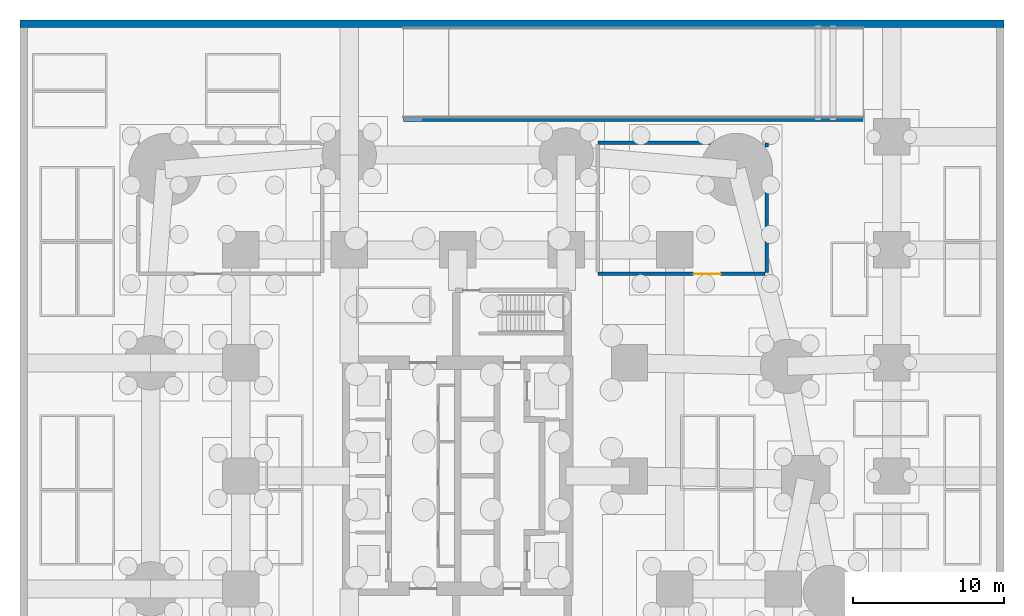
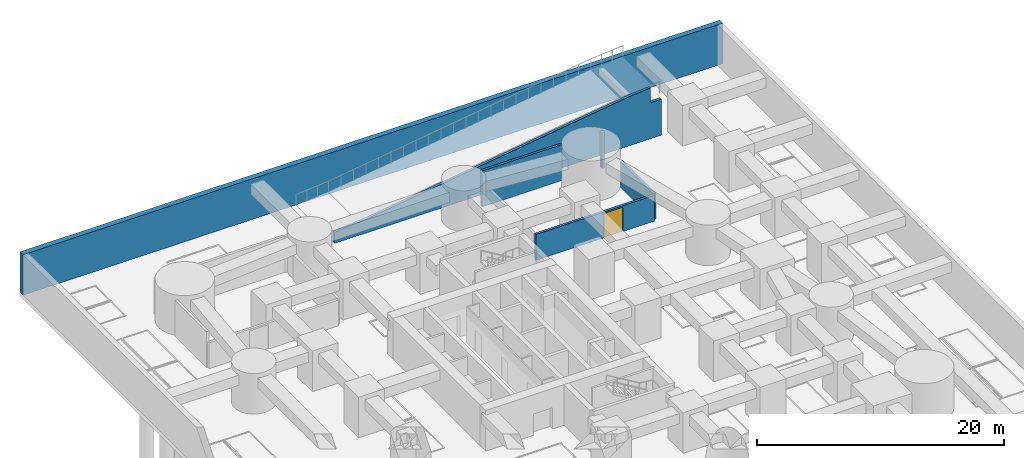
# One storey, part 5 of 10: 6 walls, 1 door, 1 opening.
"""IFC4 building model written with IfcOpenShell, lengths in metres."""

from ifc_helpers import new_model, si_unit, direction, frame, frame_2d, origin, place, context, subcontext, project, spatial, polyline, rectangle, outline, extrude, material, layer, layer_set, type_object, element, fill, save


model = new_model("IFC4")

# Units and contexts
model_context = context("Model", 3, precision=1e-05, world=origin(), true_north=direction((0.0, 1.0)))
body_context = subcontext(model_context, "Body", "Model", "MODEL_VIEW")
ifc_project = project(units=[si_unit("LENGTHUNIT", "METRE"), si_unit("AREAUNIT", "SQUARE_METRE"), si_unit("VOLUMEUNIT", "CUBIC_METRE"), si_unit("PLANEANGLEUNIT", "RADIAN"), si_unit("MASSUNIT", "GRAM", prefix="KILO")], contexts=[model_context])

# Site, building, storey
site_placement = place(None, origin())
site = spatial("IfcSite", under=ifc_project, at=site_placement, CompositionType="ELEMENT")
building_placement = place(site_placement, origin())
building = spatial("IfcBuilding", under=site, at=building_placement, Name="Sheger Commons Tower", CompositionType="ELEMENT")
storey_placement = place(building_placement, frame((0.0, 0.0, -8.0)))
storey = spatial("IfcBuildingStorey", under=building, at=storey_placement, Name="B2", CompositionType="ELEMENT", Elevation=-8.0)

# Wall, opening, door
ifc_material_1 = material(Name="Dense concrete block masonry, skimmed both sides", Category="masonry")
ifc_layer_1 = layer(ifc_material_1, 0.22509765625)
ifc_layer_set_1 = layer_set([ifc_layer_1], Name="FIRE WALL 225")
wall_type_1 = type_object("IfcWallType", Name="FIRE WALL 225", PredefinedType="SOLIDWALL", material=ifc_layer_set_1)
wall_1_placement = place(storey_placement, frame((30.89990234375, 35.89990234375, 0.0), z_axis=(0.0, 0.0, 1.0), x_axis=(1.0, 0.0, 0.0)))
wall_1 = element("IfcWall", 1, at=wall_1_placement, inside=storey, type_object=wall_type_1, Name="Plant room wall B2", PredefinedType="SOLIDWALL", context=body_context, shape_type="SweptSolid", body=[
    extrude(rectangle(XDim=11.088134765625, YDim=0.22509765625, at=frame_2d((5.5439453125, 0.0))), origin(), (0.0, 0.0, 1.0), 2.550048828125),
])
opening_placement = place(wall_1_placement, frame((6.35009765625, 0.0, 0.0)))
opening = element("IfcOpeningElement", 2, at=opening_placement, cuts=wall_1, Name="Opening D7", PredefinedType="OPENING", context=body_context, shape_type="SweptSolid", body=[
    extrude(rectangle(XDim=1.800048828125, YDim=2.39990234375, at=frame_2d((0.89990234375, 1.199951171875))), frame((0.0, 0.12255859375, 0.0), z_axis=(0.0, -1.0, 0.0), x_axis=(1.0, 0.0, 0.0)), (0.0, 0.0, 1.0), 0.2451171875),
])
ifc_material_2 = material(Name="Steel door set, fire rated", Category="steel")
door_type = type_object("IfcDoorType", Name="PLANT DOUBLE DOOR 1800x2400", OperationType="DOUBLE_DOOR_SINGLE_SWING", PredefinedType="DOOR", material=ifc_material_2)
door_placement = place(opening_placement, origin())
door = element("IfcDoor", 3, at=door_placement, inside=storey, type_object=door_type, Name="Water tank room door", OperationType="DOUBLE_DOOR_SINGLE_SWING", OverallHeight=2.39990234375, OverallWidth=1.800048828125, PredefinedType="DOOR", context=body_context, shape_type="SweptSolid", body=[
    extrude(rectangle(XDim=1.800048828125, YDim=2.39990234375, at=frame_2d((0.89990234375, 1.199951171875))), frame((0.0, 0.02490234375, 0.0), z_axis=(0.0, -1.0, 0.0), x_axis=(1.0, 0.0, 0.0)), (0.0, 0.0, 1.0), 0.050048828125),
])
fill(opening, door)

# Walls
wall_2_placement = place(storey_placement, frame((42.10009765625, 36.0, 0.0), z_axis=(0.0, 0.0, 1.0), x_axis=(0.0, 1.0, 0.0)))
element("IfcWall", 4, at=wall_2_placement, inside=storey, type_object=wall_type_1, Name="Plant room wall B2", PredefinedType="SOLIDWALL", context=body_context, shape_type="SweptSolid", body=[
    extrude(rectangle(XDim=5.344970703125, YDim=0.22509765625, at=frame_2d((2.67236328125, 0.0))), origin(), (0.0, 0.0, 1.0), 2.550048828125),
])
wall_3_placement = place(storey_placement, frame((42.10009765625, 44.31494140625, 0.0), z_axis=(0.0, 0.0, 1.0), x_axis=(0.0, 1.0, 0.0)))
element("IfcWall", 5, at=wall_3_placement, inside=storey, type_object=wall_type_1, Name="Plant room wall B2", PredefinedType="SOLIDWALL", context=body_context, shape_type="SweptSolid", body=[
    extrude(rectangle(XDim=0.28515625, YDim=0.22509765625, at=frame_2d((0.142578125, 0.0))), origin(), (0.0, 0.0, 1.0), 3.550048828125),
])
wall_4_placement = place(storey_placement, frame((30.89990234375, 44.60009765625, 0.0), z_axis=(0.0, 0.0, 1.0), x_axis=(1.0, 0.0, 0.0)))
element("IfcWall", 6, at=wall_4_placement, inside=storey, type_object=wall_type_1, Name="Plant room wall B2", PredefinedType="SOLIDWALL", context=body_context, shape_type="SweptSolid", body=[
    extrude(rectangle(XDim=7.466064453125, YDim=0.22509765625, at=frame_2d((3.73291015625, 0.0))), origin(), (0.0, 0.0, 1.0), 3.550048828125),
])
ifc_material_3 = material(Name="Concrete C50/60", Category="concrete")
ifc_layer_2 = layer(ifc_material_3, 0.25)
ifc_layer_set_2 = layer_set([ifc_layer_2], Name="RAMP WALL 250")
wall_type_2 = type_object("IfcWallType", Name="RAMP WALL 250", PredefinedType="SOLIDWALL", material=ifc_layer_set_2)
wall_5_placement = place(storey_placement, frame((18.0, 46.125, 0.0), z_axis=(0.0, 0.0, 1.0), x_axis=(1.0, 0.0, 0.0)))
element("IfcWall", 7, at=wall_5_placement, inside=storey, type_object=wall_type_2, Name="R2 ramp wall", PredefinedType="SOLIDWALL", context=body_context, shape_type="SweptSolid", body=[
    extrude(outline(polyline([(0.0, 0.0), (30.5, 0.0), (30.5, 3.550048828125), (30.489990234375, 3.550048828125), (30.0, 3.550048828125), (29.510009765625, 3.550048828125), (29.5, 5.01708984375), (29.489990234375, 5.01611328125), (29.0, 4.97509765625), (28.5, 4.93310546875), (28.0, 4.89208984375), (27.5, 4.85009765625), (27.0, 4.779052734375), (26.5, 4.70703125), (26.0, 4.635986328125), (25.5, 4.56396484375), (25.0, 4.492919921875), (24.5, 4.4208984375), (24.0, 4.35009765625), (23.5, 4.279052734375), (23.0, 4.20703125), (22.5, 4.135986328125), (22.0, 4.06396484375), (21.5, 3.992919921875), (21.0, 3.9208984375), (20.5, 3.85009765625), (20.0, 3.779052734375), (19.5, 3.70703125), (19.0, 3.635986328125), (18.5, 3.56396484375), (18.0, 3.492919921875), (17.5, 3.4208984375), (17.0, 3.35009765625), (16.5, 3.279052734375), (16.0, 3.20703125), (15.5, 3.135986328125), (15.0, 3.06396484375), (14.5, 2.992919921875), (14.0, 2.9208984375), (13.5, 2.85009765625), (13.0, 2.779052734375), (12.5, 2.70703125), (12.0, 2.635986328125), (11.5, 2.56396484375), (11.010009765625, 2.493896484375), (11.0, 2.492919921875), (10.989990234375, 2.490966796875), (10.5, 2.4208984375), (10.0, 2.35009765625), (9.5, 2.279052734375), (9.0, 2.20703125), (8.5, 2.135986328125), (8.0, 2.06396484375), (7.5, 1.992919921875), (7.0, 1.9208984375), (6.5, 1.85009765625), (6.0, 1.779052734375), (5.5, 1.70703125), (5.0, 1.635986328125), (4.5, 1.56396484375), (4.0, 1.492919921875), (3.5, 1.4208984375), (3.0, 1.35009765625), (2.5, 1.30810546875), (2.0, 1.26708984375), (1.5, 1.22509765625), (1.0, 1.18310546875), (0.5, 1.14208984375), (0.0, 1.10009765625), (0.0, 0.0)])), frame((0.0, 0.125, 0.0), z_axis=(0.0, -1.0, 0.0), x_axis=(1.0, 0.0, 0.0)), (0.0, 0.0, 1.0), 0.25),
])
ifc_material_4 = material(Name="Concrete C40/50", Category="concrete")
ifc_layer_3 = layer(ifc_material_4, 0.5)
ifc_layer_set_3 = layer_set([ifc_layer_3], Name="RETAINING WALL 500")
wall_type_3 = type_object("IfcWallType", Name="RETAINING WALL 500", PredefinedType="SOLIDWALL", material=ifc_layer_set_3)
wall_6_placement = place(storey_placement, frame((57.85009765625, 52.5, 0.0), z_axis=(0.0, 0.0, 1.0), x_axis=(-1.0, 0.0, 0.0)))
element("IfcWall", 8, at=wall_6_placement, inside=storey, type_object=wall_type_3, Name="Retaining wall north B2", PredefinedType="SOLIDWALL", context=body_context, shape_type="SweptSolid", body=[
    extrude(rectangle(XDim=65.300048828125, YDim=0.5, at=frame_2d((32.64990234375, 0.0))), origin(), (0.0, 0.0, 1.0), 4.0),
])

save(model, "model.ifc")
